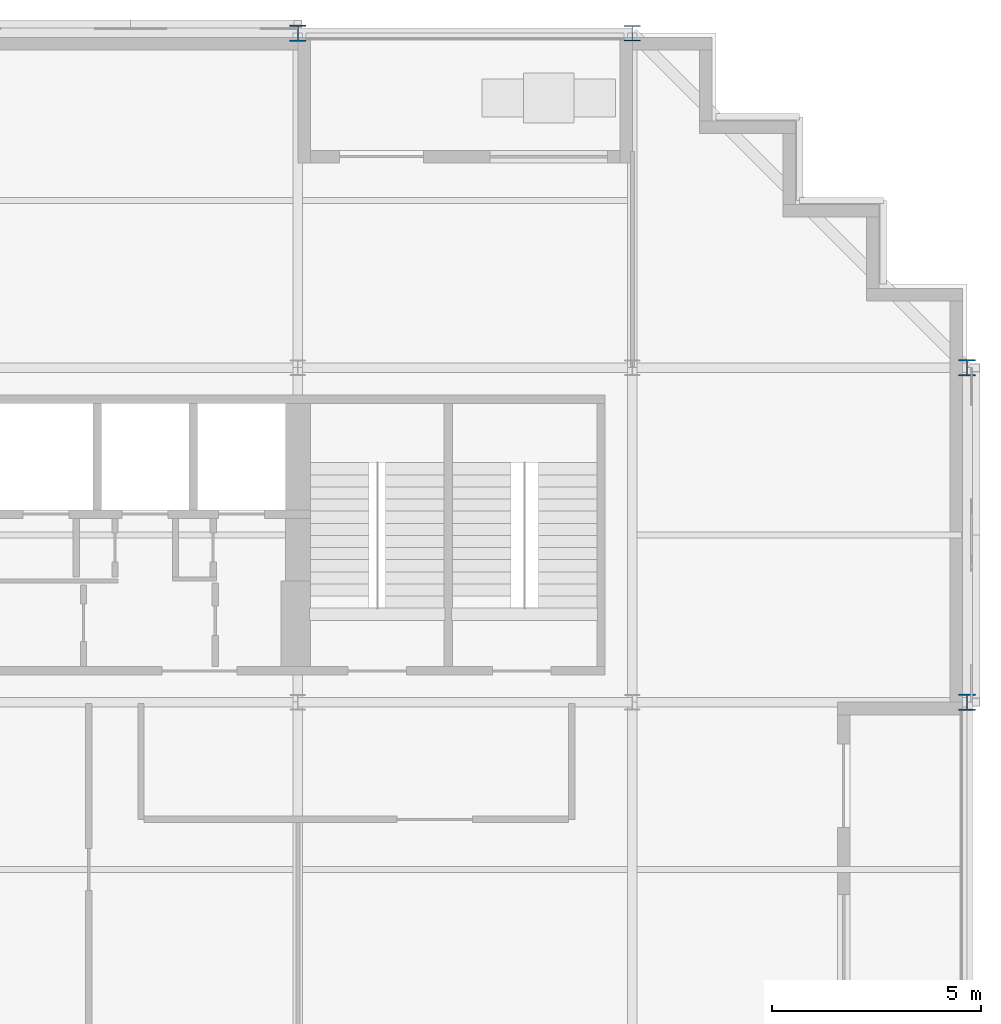
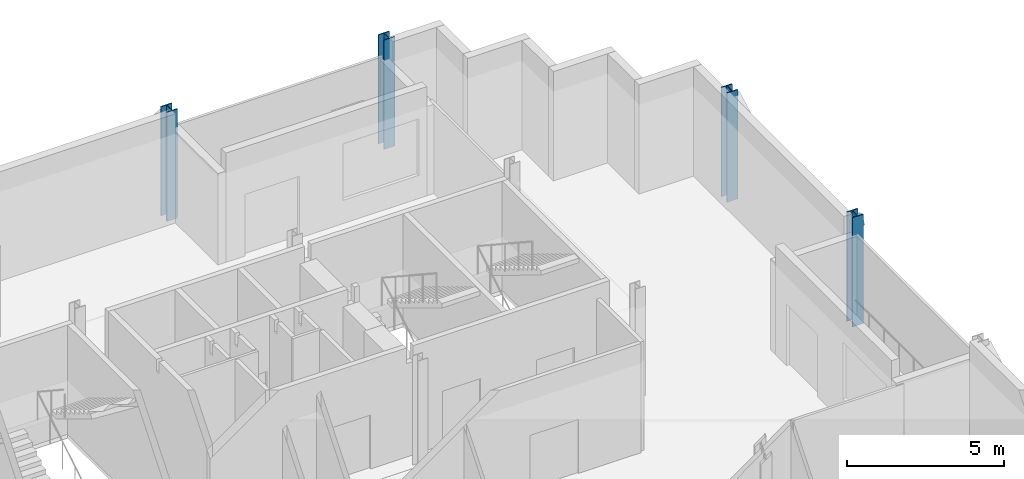
# One storey, part 3 of 15: 4 columns.
"""IFC4 building model written with IfcOpenShell, lengths in metres."""

from ifc_helpers import new_model, si_unit, direction, frame, origin, origin_2d, place, context, subcontext, project, spatial, i_section, extrude, material, material_profile, profile_set, type_object, element, save


model = new_model("IFC4")

# Units and contexts
model_context = context("Model", 3, precision=1e-05, world=origin(), true_north=direction((0.0, 1.0)))
body_context = subcontext(model_context, "Body", "Model", "MODEL_VIEW")
ifc_project = project(units=[si_unit("LENGTHUNIT", "METRE"), si_unit("AREAUNIT", "SQUARE_METRE"), si_unit("VOLUMEUNIT", "CUBIC_METRE"), si_unit("PLANEANGLEUNIT", "RADIAN"), si_unit("MASSUNIT", "GRAM", prefix="KILO")], contexts=[model_context])

# Site, building, storey
site_placement = place(None, origin())
site = spatial("IfcSite", under=ifc_project, at=site_placement, CompositionType="ELEMENT")
building_placement = place(site_placement, origin())
building = spatial("IfcBuilding", under=site, at=building_placement, Name="Immortelle Media Tower", CompositionType="ELEMENT")
storey_placement = place(building_placement, frame((0.0, 0.0, 78.800048828125)))
storey = spatial("IfcBuildingStorey", under=building, at=storey_placement, Name="L14", CompositionType="ELEMENT", Elevation=78.800048828125)

# Columns
ifc_material = material(Name="Steel ASTM A992 Gr 50", Category="steel")
ifc_material_profile_1 = material_profile(ifc_material, i_section(OverallWidth=0.39404296875, OverallDepth=0.3759765625, WebThickness=0.01708984375, FlangeThickness=0.028076171875, at=origin_2d()), Name="W14x145")
ifc_profile_set_1 = profile_set([ifc_material_profile_1], Name="Steel ASTM A992 Gr 50")
column_type_1 = type_object("IfcColumnType", Name="W14x145 column", PredefinedType="COLUMN", material=ifc_profile_set_1)
column_placement = place(storey_placement, frame((40.0, 48.0, 0.0), z_axis=(0.0, 0.0, 1.0), x_axis=(1.0, 0.0, 0.0)))
element("IfcColumn", 1, at=column_placement, inside=storey, type_object=column_type_1, Name="Column 6/G", PredefinedType="COLUMN", context=body_context, shape_type="SweptSolid", body=[
    extrude(i_section(OverallWidth=0.39404296875, OverallDepth=0.3759765625, WebThickness=0.01708984375, FlangeThickness=0.028076171875, at=origin_2d()), origin(), (0.0, 0.0, 1.0), 4.25),
])
ifc_material_profile_2 = material_profile(ifc_material, i_section(OverallWidth=0.40087890625, OverallDepth=0.39892578125, WebThickness=0.02490234375, FlangeThickness=0.0400390625, at=origin_2d()), Name="W14x211")
ifc_profile_set_2 = profile_set([ifc_material_profile_2], Name="Steel ASTM A992 Gr 50")
column_type_2 = type_object("IfcColumnType", Name="W14x211 column", PredefinedType="COLUMN", material=ifc_profile_set_2)
for number, where, z_axis, x_axis, name in (
    (2, (32.0, 48.0, 0.0), (0.0, 0.0, 1.0), (1.0, 0.0, 0.0), "Column 5/G"),
    (3, (48.0, 32.0, 0.0), (0.0, 0.0, 1.0), (1.0, 0.0, 0.0), "Column 7/E"),
    (4, (48.0, 40.0, 0.0), (0.0, 0.0, 1.0), (1.0, 0.0, 0.0), "Column 7/F"),
):
    element("IfcColumn", number, at=place(storey_placement, frame(where, z_axis=z_axis, x_axis=x_axis)), inside=storey, type_object=column_type_2, Name=name, PredefinedType="COLUMN", context=body_context, shape_type="SweptSolid", body=[
        extrude(i_section(OverallWidth=0.40087890625, OverallDepth=0.39892578125, WebThickness=0.02490234375, FlangeThickness=0.0400390625, at=origin_2d()), origin(), (0.0, 0.0, 1.0), 4.25),
    ])

save(model, "model.ifc")
